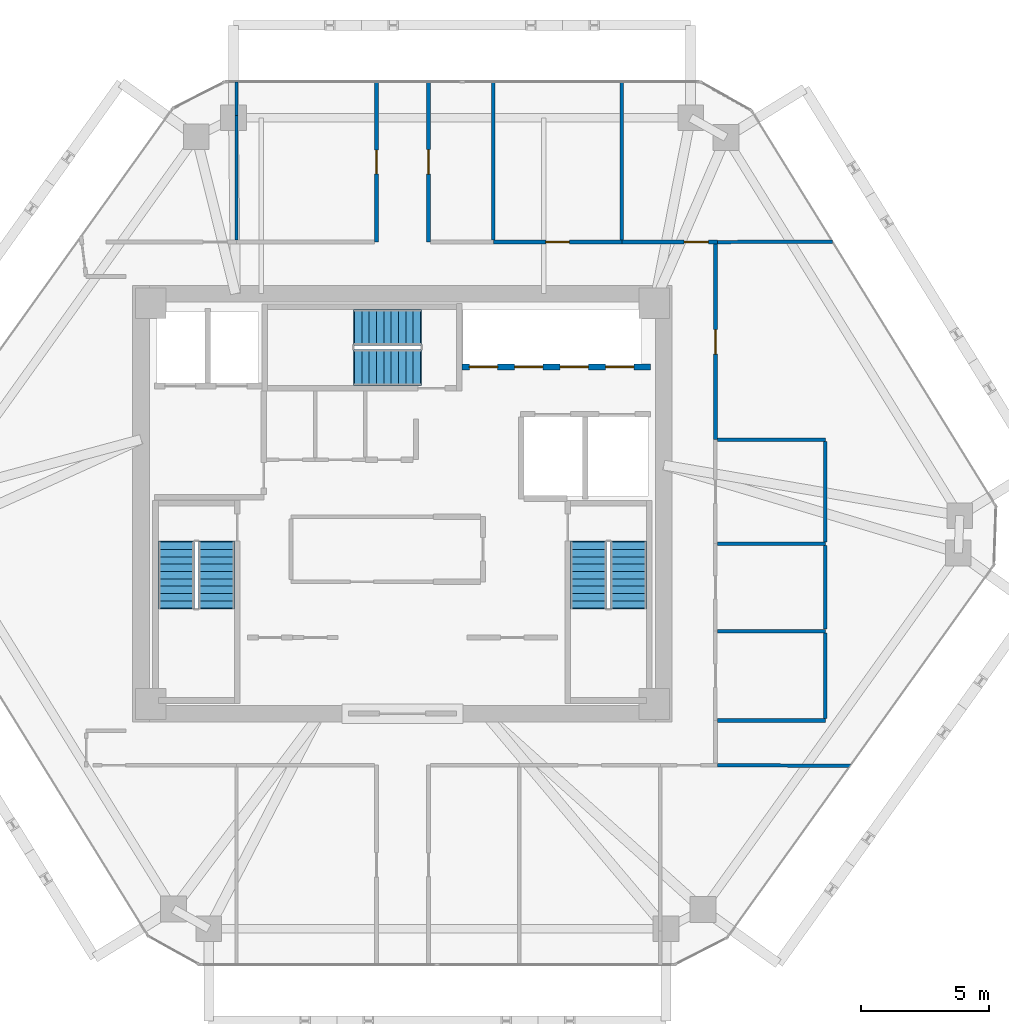
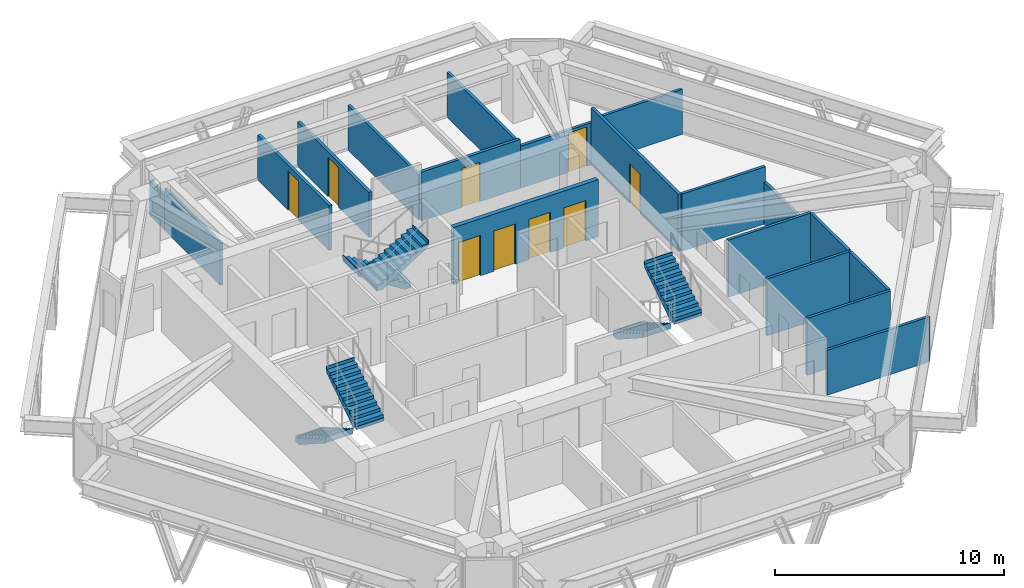
# One storey, part 10 of 11: 19 walls, 9 doors, 6 stair flights, 9 openings, 3 elements without a shape of their own.
"""IFC4 building model written with IfcOpenShell, lengths in metres."""

from ifc_helpers import new_model, si_unit, direction, frame, frame_2d, origin, place, context, subcontext, project, spatial, polyline, rectangle, outline, extrude, source, transform, mapped, material, layer, layer_set, type_object, type_shapes, element, fill, aggregate, save


model = new_model("IFC4")

# Units and contexts
model_context = context("Model", 3, precision=1e-05, world=origin(), true_north=direction((0.0, 1.0)))
body_context = subcontext(model_context, "Body", "Model", "MODEL_VIEW")
ifc_project = project(units=[si_unit("LENGTHUNIT", "METRE"), si_unit("AREAUNIT", "SQUARE_METRE"), si_unit("VOLUMEUNIT", "CUBIC_METRE"), si_unit("PLANEANGLEUNIT", "RADIAN"), si_unit("MASSUNIT", "GRAM", prefix="KILO")], contexts=[model_context])

# Site, building, storey
site_placement = place(None, origin())
site = spatial("IfcSite", under=ifc_project, at=site_placement, CompositionType="ELEMENT")
building_placement = place(site_placement, origin())
building = spatial("IfcBuilding", under=site, at=building_placement, Name="Durnholm Broadcast Tower", CompositionType="ELEMENT")
storey_placement = place(building_placement, frame((0.0, 0.0, 177.10009765625)))
storey = spatial("IfcBuildingStorey", under=building, at=storey_placement, Name="L48", CompositionType="ELEMENT", Elevation=177.10009765625)

# Walls
ifc_material_1 = material(Name="Gypsum Metal Stud Partition", Category="concrete")
ifc_layer_1 = layer(ifc_material_1, 0.135009765625)
ifc_layer_set_1 = layer_set([ifc_layer_1], Name="Gypsum Metal Stud Partition")
wall_type_1 = type_object("IfcWallType", Name="WALL-PART-135", PredefinedType="PARTITIONING", material=ifc_layer_set_1)
wall_1_placement = place(storey_placement, frame((-6.4599609375, 15.10205078125, 0.0), z_axis=(0.0, 0.0, 1.0), x_axis=(0.0, -1.0, 0.0)))
element("IfcWall", 1, at=wall_1_placement, inside=storey, type_object=wall_type_1, Name="L48 room dividing partition 12.13", PredefinedType="PARTITIONING", context=body_context, shape_type="SweptSolid", body=[
    extrude(rectangle(XDim=4.843017578125, YDim=0.135009765625, at=frame_2d((2.42138671875, 0.0))), origin(), (0.0, 0.0, 1.0), 2.24169921875),
])
wall_2_placement = place(storey_placement, frame((-6.4599609375, 16.41796875, 0.0), z_axis=(0.0, 0.0, 1.0), x_axis=(0.0, -1.0, 0.0)))
element("IfcWall", 2, at=wall_2_placement, inside=storey, type_object=wall_type_1, Name="L48 room dividing partition 12.13", PredefinedType="PARTITIONING", context=body_context, shape_type="SweptSolid", body=[
    extrude(rectangle(XDim=1.31591796875, YDim=0.135009765625, at=frame_2d((0.657958984375, 0.0))), origin(), (0.0, 0.0, 1.0), 1.876953125),
])
for number, where, z_axis, x_axis, name in (
    (3, (3.5400390625, 16.41796875, 0.0), (0.0, 0.0, 1.0), (0.0, -1.0, 0.0), "L48 room dividing partition 14.15"),
    (4, (8.5400390625, 16.41796875, 0.0), (0.0, 0.0, 1.0), (0.0, -1.0, 0.0), "L48 room dividing partition 15.16"),
):
    element("IfcWall", number, at=place(storey_placement, frame(where, z_axis=z_axis, x_axis=x_axis)), inside=storey, type_object=wall_type_1, Name=name, PredefinedType="PARTITIONING", context=body_context, shape_type="SweptSolid", body=[
        extrude(rectangle(XDim=6.158935546875, YDim=0.135009765625, at=frame_2d((3.07958984375, 0.0))), origin(), (0.0, 0.0, 1.0), 2.398681640625),
    ])
wall_3_placement = place(storey_placement, frame((16.739990234375, 10.200927734375, 0.0), z_axis=(0.0, 0.0, 1.0), x_axis=(-0.999989522694, -0.004577608714, 0.0)))
element("IfcWall", 5, at=wall_3_placement, inside=storey, type_object=wall_type_1, Name="L48 room dividing partition 16.24", PredefinedType="PARTITIONING", context=body_context, shape_type="SweptSolid", body=[
    extrude(rectangle(XDim=4.47998046875, YDim=0.135009765625, at=frame_2d((2.239990234375, 0.0))), origin(), (0.0, 0.0, 1.0), 2.398681640625),
])
wall_4_placement = place(storey_placement, frame((12.260009765625, -10.180419921875, 0.0), z_axis=(0.0, 0.0, 1.0), x_axis=(0.999990144117, -0.004439782427, 0.0)))
element("IfcWall", 6, at=wall_4_placement, inside=storey, type_object=wall_type_1, Name="L48 room dividing partition 21.24", PredefinedType="PARTITIONING", context=body_context, shape_type="SweptSolid", body=[
    extrude(rectangle(XDim=5.1689453125, YDim=0.135009765625, at=frame_2d((2.58447265625, 0.0))), origin(), (0.0, 0.0, 1.0), 2.398681640625),
])

# Wall, opening, door
ifc_material_2 = material(Name="Acoustic Gypsum Stud Partition", Category="concrete")
ifc_layer_2 = layer(ifc_material_2, 0.14990234375)
ifc_layer_set_2 = layer_set([ifc_layer_2], Name="Acoustic Gypsum Stud Partition")
wall_type_2 = type_object("IfcWallType", Name="WALL-PART-150", PredefinedType="PARTITIONING", material=ifc_layer_set_2)
wall_5_placement = place(storey_placement, frame((-1.010009765625, 16.41796875, 0.0), z_axis=(0.0, 0.0, 1.0), x_axis=(0.0, -1.0, 0.0)))
wall_5 = element("IfcWall", 7, at=wall_5_placement, inside=storey, type_object=wall_type_2, Name="L48 Rough-Cut Office 1 corridor partition", PredefinedType="PARTITIONING", context=body_context, shape_type="SweptSolid", body=[
    extrude(rectangle(XDim=6.238037109375, YDim=0.14990234375, at=frame_2d((3.119140625, 0.0))), origin(), (0.0, 0.0, 1.0), 2.398681640625),
])
opening_1_placement = place(wall_5_placement, frame((2.658935546875, 0.0, 0.0)))
opening_1 = element("IfcOpeningElement", 8, at=opening_1_placement, cuts=wall_5, Name="Opening DR-92L", PredefinedType="OPENING", context=body_context, shape_type="SweptSolid", body=[
    extrude(rectangle(XDim=0.919921875, YDim=2.10009765625, at=frame_2d((0.4599609375, 1.050048828125))), frame((0.0, 0.0849609375, 0.0), z_axis=(0.0, -1.0, 0.0), x_axis=(1.0, 0.0, 0.0)), (0.0, 0.0, 1.0), 0.169921875),
])
ifc_material_3 = material(Name="Oak Veneer Office Door", Category="wood")
ifc_layer_3 = layer(ifc_material_3, 0.050048828125)
ifc_layer_set_3 = layer_set([ifc_layer_3], Name="Oak Veneer Office Door")
door_type_1 = type_object("IfcDoorType", Name="DOOR-RM-920L", OperationType="NOTDEFINED", PredefinedType="DOOR", material=ifc_layer_set_3)
shared_shape_1 = source(origin(), body_context, "Body", "SweptSolid", [
    extrude(rectangle(XDim=0.919921875, YDim=2.10009765625, at=frame_2d((0.4599609375, 1.050048828125))), frame((0.0, 0.02490234375, 0.0), z_axis=(0.0, -1.0, 0.0), x_axis=(1.0, 0.0, 0.0)), (0.0, 0.0, 1.0), 0.050048828125),
])
type_shapes(door_type_1, [shared_shape_1])
door_1_placement = place(opening_1_placement, origin())
door_1 = element("IfcDoor", 9, at=door_1_placement, inside=storey, type_object=door_type_1, Name="L48 Rough-Cut Office 1 entrance door", OperationType="SINGLE_SWING_LEFT", OverallHeight=2.10009765625, OverallWidth=0.919921875, PredefinedType="DOOR", context=body_context, shape_type="MappedRepresentation", body=[
    mapped(shared_shape_1, transform((0.0, 0.0, 0.0), x_axis=(1.0, 0.0, 0.0), y_axis=(0.0, 1.0, 0.0), z_axis=(0.0, 0.0, 1.0), scale=1.0)),
])
fill(opening_1, door_1)

wall_6_placement = place(storey_placement, frame((1.010009765625, 10.179931640625, 0.0), z_axis=(0.0, 0.0, 1.0), x_axis=(0.0, 1.0, 0.0)))
wall_6 = element("IfcWall", 10, at=wall_6_placement, inside=storey, type_object=wall_type_2, Name="L48 Rough-Cut Office 2 corridor partition", PredefinedType="PARTITIONING", context=body_context, shape_type="SweptSolid", body=[
    extrude(rectangle(XDim=6.238037109375, YDim=0.14990234375, at=frame_2d((3.119140625, 0.0))), origin(), (0.0, 0.0, 1.0), 2.398681640625),
])
opening_2_placement = place(wall_6_placement, frame((2.64404296875, 0.0, 0.0)))
opening_2 = element("IfcOpeningElement", 11, at=opening_2_placement, cuts=wall_6, Name="Opening DR-95R", PredefinedType="OPENING", context=body_context, shape_type="SweptSolid", body=[
    extrude(rectangle(XDim=0.949951171875, YDim=2.10009765625, at=frame_2d((0.47509765625, 1.050048828125))), frame((0.0, 0.0849609375, 0.0), z_axis=(0.0, -1.0, 0.0), x_axis=(1.0, 0.0, 0.0)), (0.0, 0.0, 1.0), 0.169921875),
])
ifc_material_4 = material(Name="Acoustic Oak Veneer Timber Door", Category="wood")
ifc_layer_4 = layer(ifc_material_4, 0.050048828125)
ifc_layer_set_4 = layer_set([ifc_layer_4], Name="Acoustic Oak Veneer Timber Door")
door_type_2 = type_object("IfcDoorType", Name="DOOR-RM-950R", OperationType="NOTDEFINED", PredefinedType="DOOR", material=ifc_layer_set_4)
shared_shape_2 = source(origin(), body_context, "Body", "SweptSolid", [
    extrude(rectangle(XDim=0.949951171875, YDim=2.10009765625, at=frame_2d((0.47509765625, 1.050048828125))), frame((0.0, 0.02490234375, 0.0), z_axis=(0.0, -1.0, 0.0), x_axis=(1.0, 0.0, 0.0)), (0.0, 0.0, 1.0), 0.050048828125),
])
type_shapes(door_type_2, [shared_shape_2])
door_2_placement = place(opening_2_placement, origin())
door_2 = element("IfcDoor", 12, at=door_2_placement, inside=storey, type_object=door_type_2, Name="L48 Rough-Cut Office 2 entrance door", OperationType="SINGLE_SWING_RIGHT", OverallHeight=2.10009765625, OverallWidth=0.949951171875, PredefinedType="DOOR", context=body_context, shape_type="MappedRepresentation", body=[
    mapped(shared_shape_2, transform((0.0, 0.0, 0.0), x_axis=(1.0, 0.0, 0.0), y_axis=(0.0, 1.0, 0.0), z_axis=(0.0, 0.0, 1.0), scale=1.0)),
])
fill(opening_2, door_2)

wall_7_placement = place(storey_placement, frame((8.5400390625, 10.179931640625, 0.0), z_axis=(0.0, 0.0, 1.0), x_axis=(-1.0, 0.0, 0.0)))
wall_7 = element("IfcWall", 13, at=wall_7_placement, inside=storey, type_object=wall_type_2, Name="L48 Archival Office corridor partition", PredefinedType="PARTITIONING", context=body_context, shape_type="SweptSolid", body=[
    extrude(rectangle(XDim=5.0, YDim=0.14990234375, at=frame_2d((2.5, 0.0))), origin(), (0.0, 0.0, 1.0), 2.608154296875),
])
opening_3_placement = place(wall_7_placement, frame((2.0400390625, 0.0, 0.0)))
opening_3 = element("IfcOpeningElement", 14, at=opening_3_placement, cuts=wall_7, Name="Opening DR-92L", PredefinedType="OPENING", context=body_context, shape_type="SweptSolid", body=[
    extrude(rectangle(XDim=0.919921875, YDim=2.10009765625, at=frame_2d((0.4599609375, 1.050048828125))), frame((0.0, 0.0849609375, 0.0), z_axis=(0.0, -1.0, 0.0), x_axis=(1.0, 0.0, 0.0)), (0.0, 0.0, 1.0), 0.169921875),
])
door_3_placement = place(opening_3_placement, origin())
door_3 = element("IfcDoor", 15, at=door_3_placement, inside=storey, type_object=door_type_1, Name="L48 Archival Office entrance door", OperationType="SINGLE_SWING_LEFT", OverallHeight=2.10009765625, OverallWidth=0.919921875, PredefinedType="DOOR", context=body_context, shape_type="MappedRepresentation", body=[
    mapped(shared_shape_1, transform((0.0, 0.0, 0.0), x_axis=(1.0, 0.0, 0.0), y_axis=(0.0, 1.0, 0.0), z_axis=(0.0, 0.0, 1.0), scale=1.0)),
])
fill(opening_3, door_3)

wall_8_placement = place(storey_placement, frame((12.260009765625, 10.179931640625, 0.0), z_axis=(0.0, 0.0, 1.0), x_axis=(-1.0, 0.0, 0.0)))
wall_8 = element("IfcWall", 16, at=wall_8_placement, inside=storey, type_object=wall_type_2, Name="L48 Open Plan Broadcast Workspace 6 corridor partition", PredefinedType="PARTITIONING", context=body_context, shape_type="SweptSolid", body=[
    extrude(rectangle(XDim=3.719970703125, YDim=0.14990234375, at=frame_2d((1.85986328125, 0.0))), origin(), (0.0, 0.0, 1.0), 2.24169921875),
])
opening_4_placement = place(wall_8_placement, frame((0.35009765625, 0.0, 0.0)))
opening_4 = element("IfcOpeningElement", 17, at=opening_4_placement, cuts=wall_8, Name="Opening DR-95R", PredefinedType="OPENING", context=body_context, shape_type="SweptSolid", body=[
    extrude(rectangle(XDim=0.949951171875, YDim=2.10009765625, at=frame_2d((0.47509765625, 1.050048828125))), frame((0.0, 0.0849609375, 0.0), z_axis=(0.0, -1.0, 0.0), x_axis=(1.0, 0.0, 0.0)), (0.0, 0.0, 1.0), 0.169921875),
])
door_4_placement = place(opening_4_placement, origin())
door_4 = element("IfcDoor", 18, at=door_4_placement, inside=storey, type_object=door_type_2, Name="L48 Open Plan Broadcast Workspace 6 entrance door", OperationType="SINGLE_SWING_RIGHT", OverallHeight=2.10009765625, OverallWidth=0.949951171875, PredefinedType="DOOR", context=body_context, shape_type="MappedRepresentation", body=[
    mapped(shared_shape_2, transform((0.0, 0.0, 0.0), x_axis=(1.0, 0.0, 0.0), y_axis=(0.0, 1.0, 0.0), z_axis=(0.0, 0.0, 1.0), scale=1.0)),
])
fill(opening_4, door_4)

wall_9_placement = place(storey_placement, frame((12.179931640625, 2.489990234375, 0.0), z_axis=(0.0, 0.0, 1.0), x_axis=(0.0, 1.0, 0.0)))
wall_9 = element("IfcWall", 19, at=wall_9_placement, inside=storey, type_object=wall_type_2, Name="L48 Archival Office corridor partition", PredefinedType="PARTITIONING", context=body_context, shape_type="SweptSolid", body=[
    extrude(rectangle(XDim=7.611083984375, YDim=0.14990234375, at=frame_2d((3.8056640625, 0.0))), origin(), (0.0, 0.0, 1.0), 3.044921875),
])
opening_5_placement = place(wall_9_placement, frame((3.33056640625, 0.0, 0.0)))
opening_5 = element("IfcOpeningElement", 20, at=opening_5_placement, cuts=wall_9, Name="Opening DR-95L", PredefinedType="OPENING", context=body_context, shape_type="SweptSolid", body=[
    extrude(rectangle(XDim=0.949951171875, YDim=2.10009765625, at=frame_2d((0.47509765625, 1.050048828125))), frame((0.0, 0.0849609375, 0.0), z_axis=(0.0, -1.0, 0.0), x_axis=(1.0, 0.0, 0.0)), (0.0, 0.0, 1.0), 0.169921875),
])
ifc_layer_5 = layer(ifc_material_4, 0.050048828125)
ifc_layer_set_5 = layer_set([ifc_layer_5], Name="Acoustic Oak Veneer Timber Door")
door_type_3 = type_object("IfcDoorType", Name="DOOR-RM-950L", OperationType="NOTDEFINED", PredefinedType="DOOR", material=ifc_layer_set_5)
shared_shape_3 = source(origin(), body_context, "Body", "SweptSolid", [
    extrude(rectangle(XDim=0.949951171875, YDim=2.10009765625, at=frame_2d((0.47509765625, 1.050048828125))), frame((0.0, 0.02490234375, 0.0), z_axis=(0.0, -1.0, 0.0), x_axis=(1.0, 0.0, 0.0)), (0.0, 0.0, 1.0), 0.050048828125),
])
type_shapes(door_type_3, [shared_shape_3])
door_5_placement = place(opening_5_placement, origin())
door_5 = element("IfcDoor", 21, at=door_5_placement, inside=storey, type_object=door_type_3, Name="L48 Archival Office entrance door", OperationType="SINGLE_SWING_LEFT", OverallHeight=2.10009765625, OverallWidth=0.949951171875, PredefinedType="DOOR", context=body_context, shape_type="MappedRepresentation", body=[
    mapped(shared_shape_3, transform((0.0, 0.0, 0.0), x_axis=(1.0, 0.0, 0.0), y_axis=(0.0, 1.0, 0.0), z_axis=(0.0, 0.0, 1.0), scale=1.0)),
])
fill(opening_5, door_5)

# Wall, openings, doors
ifc_material_5 = material(Name="Concrete Blockwork C30/37", Category="masonry")
ifc_layer_6 = layer(ifc_material_5, 0.219970703125)
ifc_layer_set_6 = layer_set([ifc_layer_6], Name="Concrete Blockwork C30/37")
wall_type_3 = type_object("IfcWallType", Name="WALL-SHAFT-220", PredefinedType="SOLIDWALL", material=ifc_layer_set_6)
wall_10_placement = place(storey_placement, frame((2.324951171875, 5.320068359375, 0.0), z_axis=(0.0, 0.0, 1.0), x_axis=(1.0, 0.0, 0.0)))
wall_10 = element("IfcWall", 22, at=wall_10_placement, inside=storey, type_object=wall_type_3, Name="L48 high-rise bank P3 south front wall", PredefinedType="SOLIDWALL", context=body_context, shape_type="SweptSolid", body=[
    extrude(rectangle(XDim=7.324951171875, YDim=0.219970703125, at=frame_2d((3.66259765625, 0.0))), origin(), (0.0, 0.0, 1.0), 3.044921875),
])
opening_6_placement = place(wall_10_placement, frame((0.27490234375, 0.0, 0.0)))
opening_6 = element("IfcOpeningElement", 23, at=opening_6_placement, cuts=wall_10, Name="Opening LD-LP3-1", PredefinedType="OPENING", context=body_context, shape_type="SweptSolid", body=[
    extrude(rectangle(XDim=1.10009765625, YDim=2.14990234375, at=frame_2d((0.550048828125, 1.074951171875))), frame((0.0, 0.1201171875, 0.0), z_axis=(0.0, -1.0, 0.0), x_axis=(1.0, 0.0, 0.0)), (0.0, 0.0, 1.0), 0.239990234375),
])
opening_7_placement = place(wall_10_placement, frame((2.044921875, 0.0, 0.0)))
opening_7 = element("IfcOpeningElement", 24, at=opening_7_placement, cuts=wall_10, Name="Opening LD-LP3-2", PredefinedType="OPENING", context=body_context, shape_type="SweptSolid", body=[
    extrude(rectangle(XDim=1.10009765625, YDim=2.14990234375, at=frame_2d((0.550048828125, 1.074951171875))), frame((0.0, 0.1201171875, 0.0), z_axis=(0.0, -1.0, 0.0), x_axis=(1.0, 0.0, 0.0)), (0.0, 0.0, 1.0), 0.239990234375),
])
opening_8_placement = place(wall_10_placement, frame((3.81494140625, 0.0, 0.0)))
opening_8 = element("IfcOpeningElement", 25, at=opening_8_placement, cuts=wall_10, Name="Opening LD-LP3-3", PredefinedType="OPENING", context=body_context, shape_type="SweptSolid", body=[
    extrude(rectangle(XDim=1.10009765625, YDim=2.14990234375, at=frame_2d((0.550048828125, 1.074951171875))), frame((0.0, 0.1201171875, 0.0), z_axis=(0.0, -1.0, 0.0), x_axis=(1.0, 0.0, 0.0)), (0.0, 0.0, 1.0), 0.239990234375),
])
opening_9_placement = place(wall_10_placement, frame((5.5849609375, 0.0, 0.0)))
opening_9 = element("IfcOpeningElement", 26, at=opening_9_placement, cuts=wall_10, Name="Opening LD-LP3-4", PredefinedType="OPENING", context=body_context, shape_type="SweptSolid", body=[
    extrude(rectangle(XDim=1.10009765625, YDim=2.14990234375, at=frame_2d((0.550048828125, 1.074951171875))), frame((0.0, 0.1201171875, 0.0), z_axis=(0.0, -1.0, 0.0), x_axis=(1.0, 0.0, 0.0)), (0.0, 0.0, 1.0), 0.239990234375),
])
ifc_material_6 = material(Name="Stainless Steel Sliding Elevator Landing Door", Category="steel")
ifc_layer_7 = layer(ifc_material_6, 0.050048828125)
ifc_layer_set_7 = layer_set([ifc_layer_7], Name="Stainless Steel Sliding Elevator Landing Door")
door_type_4 = type_object("IfcDoorType", Name="DOOR-LIFT-PAX", OperationType="DOUBLE_DOOR_SLIDING", PredefinedType="DOOR", material=ifc_layer_set_7)
shared_shape_4 = source(origin(), body_context, "Body", "SweptSolid", [
    extrude(rectangle(XDim=1.10009765625, YDim=2.14990234375, at=frame_2d((0.550048828125, 1.074951171875))), frame((0.0, 0.02490234375, 0.0), z_axis=(0.0, -1.0, 0.0), x_axis=(1.0, 0.0, 0.0)), (0.0, 0.0, 1.0), 0.050048828125),
])
type_shapes(door_type_4, [shared_shape_4])
door_6_placement = place(opening_6_placement, origin())
door_6 = element("IfcDoor", 27, at=door_6_placement, inside=storey, type_object=door_type_4, Name="L48 high-rise elevator LP3-1 sliding landing door", OperationType="DOUBLE_DOOR_SLIDING", OverallHeight=2.14990234375, OverallWidth=1.10009765625, PredefinedType="DOOR", context=body_context, shape_type="MappedRepresentation", body=[
    mapped(shared_shape_4, transform((0.0, 0.0, 0.0), x_axis=(1.0, 0.0, 0.0), y_axis=(0.0, 1.0, 0.0), z_axis=(0.0, 0.0, 1.0), scale=1.0)),
])
fill(opening_6, door_6)
door_7_placement = place(opening_7_placement, origin())
door_7 = element("IfcDoor", 28, at=door_7_placement, inside=storey, type_object=door_type_4, Name="L48 high-rise elevator LP3-2 sliding landing door", OperationType="DOUBLE_DOOR_SLIDING", OverallHeight=2.14990234375, OverallWidth=1.10009765625, PredefinedType="DOOR", context=body_context, shape_type="MappedRepresentation", body=[
    mapped(shared_shape_4, transform((0.0, 0.0, 0.0), x_axis=(1.0, 0.0, 0.0), y_axis=(0.0, 1.0, 0.0), z_axis=(0.0, 0.0, 1.0), scale=1.0)),
])
fill(opening_7, door_7)
door_8_placement = place(opening_8_placement, origin())
door_8 = element("IfcDoor", 29, at=door_8_placement, inside=storey, type_object=door_type_4, Name="L48 high-rise elevator LP3-3 sliding landing door", OperationType="DOUBLE_DOOR_SLIDING", OverallHeight=2.14990234375, OverallWidth=1.10009765625, PredefinedType="DOOR", context=body_context, shape_type="MappedRepresentation", body=[
    mapped(shared_shape_4, transform((0.0, 0.0, 0.0), x_axis=(1.0, 0.0, 0.0), y_axis=(0.0, 1.0, 0.0), z_axis=(0.0, 0.0, 1.0), scale=1.0)),
])
fill(opening_8, door_8)
door_9_placement = place(opening_9_placement, origin())
door_9 = element("IfcDoor", 30, at=door_9_placement, inside=storey, type_object=door_type_4, Name="L48 high-rise elevator LP3-4 sliding landing door", OperationType="DOUBLE_DOOR_SLIDING", OverallHeight=2.14990234375, OverallWidth=1.10009765625, PredefinedType="DOOR", context=body_context, shape_type="MappedRepresentation", body=[
    mapped(shared_shape_4, transform((0.0, 0.0, 0.0), x_axis=(1.0, 0.0, 0.0), y_axis=(0.0, 1.0, 0.0), z_axis=(0.0, 0.0, 1.0), scale=1.0)),
])
fill(opening_9, door_9)

# Walls
ifc_material_7 = material(Name="Moisture-Resistant Tile Partition", Category="concrete")
ifc_layer_8 = layer(ifc_material_7, 0.139892578125)
ifc_layer_set_8 = layer_set([ifc_layer_8], Name="Moisture-Resistant Tile Partition")
wall_type_4 = type_object("IfcWallType", Name="WALL-WC-140", PredefinedType="PARTITIONING", material=ifc_layer_set_8)
wall_11_placement = place(storey_placement, frame((12.25390625, -4.9599609375, 0.0), z_axis=(0.0, 0.0, 1.0), x_axis=(1.0, 0.0, 0.0)))
element("IfcWall", 31, at=wall_11_placement, inside=storey, type_object=wall_type_4, Name="L48 room dividing partition 9.10", PredefinedType="PARTITIONING", context=body_context, shape_type="SweptSolid", body=[
    extrude(rectangle(XDim=4.2060546875, YDim=0.139892578125, at=frame_2d((2.10302734375, 0.0))), origin(), (0.0, 0.0, 1.0), 3.044921875),
])
wall_12_placement = place(storey_placement, frame((16.4599609375, -8.43994140625, 0.0), z_axis=(0.0, 0.0, 1.0), x_axis=(-1.0, 0.0, 0.0)))
element("IfcWall", 32, at=wall_12_placement, inside=storey, type_object=wall_type_4, Name="L48 room dividing partition 9.24", PredefinedType="PARTITIONING", context=body_context, shape_type="SweptSolid", body=[
    extrude(rectangle(XDim=4.200927734375, YDim=0.139892578125, at=frame_2d((2.1005859375, 0.0))), origin(), (0.0, 0.0, 1.0), 3.044921875),
])
wall_13_placement = place(storey_placement, frame((16.4599609375, -5.033935546875, 0.0), z_axis=(0.0, 0.0, 1.0), x_axis=(0.0, -1.0, 0.0)))
element("IfcWall", 33, at=wall_13_placement, inside=storey, type_object=wall_type_4, Name="L48 room dividing partition 9.24", PredefinedType="PARTITIONING", context=body_context, shape_type="SweptSolid", body=[
    extrude(rectangle(XDim=3.33203125, YDim=0.139892578125, at=frame_2d((1.666015625, 0.0))), origin(), (0.0, 0.0, 1.0), 3.044921875),
])
wall_14_placement = place(storey_placement, frame((12.25390625, -1.56005859375, 0.0), z_axis=(0.0, 0.0, 1.0), x_axis=(1.0, 0.0, 0.0)))
element("IfcWall", 34, at=wall_14_placement, inside=storey, type_object=wall_type_4, Name="L48 room dividing partition 10.11", PredefinedType="PARTITIONING", context=body_context, shape_type="SweptSolid", body=[
    extrude(rectangle(XDim=4.2060546875, YDim=0.139892578125, at=frame_2d((2.10302734375, 0.0))), origin(), (0.0, 0.0, 1.0), 3.044921875),
])
wall_15_placement = place(storey_placement, frame((16.4599609375, -1.634033203125, 0.0), z_axis=(0.0, 0.0, 1.0), x_axis=(0.0, -1.0, 0.0)))
element("IfcWall", 35, at=wall_15_placement, inside=storey, type_object=wall_type_4, Name="L48 room dividing partition 10.24", PredefinedType="PARTITIONING", context=body_context, shape_type="SweptSolid", body=[
    extrude(rectangle(XDim=3.251953125, YDim=0.139892578125, at=frame_2d((1.6259765625, 0.0))), origin(), (0.0, 0.0, 1.0), 3.044921875),
])
wall_16_placement = place(storey_placement, frame((12.259033203125, 2.489990234375, 0.0), z_axis=(0.0, 0.0, 1.0), x_axis=(1.0, 0.0, 0.0)))
element("IfcWall", 36, at=wall_16_placement, inside=storey, type_object=wall_type_4, Name="L48 room dividing partition 11.24", PredefinedType="PARTITIONING", context=body_context, shape_type="SweptSolid", body=[
    extrude(rectangle(XDim=4.200927734375, YDim=0.139892578125, at=frame_2d((2.1005859375, 0.0))), origin(), (0.0, 0.0, 1.0), 3.044921875),
])
wall_17_placement = place(storey_placement, frame((16.4599609375, 2.416015625, 0.0), z_axis=(0.0, 0.0, 1.0), x_axis=(0.0, -1.0, 0.0)))
element("IfcWall", 37, at=wall_17_placement, inside=storey, type_object=wall_type_4, Name="L48 room dividing partition 11.24", PredefinedType="PARTITIONING", context=body_context, shape_type="SweptSolid", body=[
    extrude(rectangle(XDim=3.902099609375, YDim=0.139892578125, at=frame_2d((1.951171875, 0.0))), origin(), (0.0, 0.0, 1.0), 2.24169921875),
])

# Stair, stair flights
ifc_material_8 = material(Name="Concrete C50/60", Category="concrete")
stair_type = type_object("IfcStairType", Name="STAIR-DL-20R1650", PredefinedType="HALF_TURN_STAIR", material=ifc_material_8)
stair_1_placement = place(storey_placement, origin())
stair_1 = element("IfcStair", 38, at=stair_1_placement, inside=storey, type_object=stair_type, Name="L48 ST-1", PredefinedType="HALF_TURN_STAIR")
stair_flight_type = type_object("IfcStairFlightType", Name="FLIGHT-DL-20R1650", PredefinedType="STRAIGHT", material=ifc_material_8)
stair_flight_1_placement = place(storey_placement, frame((-8.800048828125, -1.5, 0.0), z_axis=(0.0, 0.0, 1.0), x_axis=(0.0, -1.0, 0.0)))
stair_flight_1 = element("IfcStairFlight", 39, at=stair_flight_1_placement, type_object=stair_flight_type, Name="ST-1 flight 1", NumberOfRisers=10, NumberOfTreads=9, PredefinedType="STRAIGHT", RiserHeight=0.165, TreadLength=0.285, context=body_context, shape_type="SweptSolid", body=[
    extrude(outline(polyline([(-0.0400390625, -0.14990234375), (-0.0400390625, 0.0), (0.0, 0.0), (0.0, 0.1650390625), (0.284912109375, 0.1650390625), (0.284912109375, 0.330078125), (0.570068359375, 0.330078125), (0.570068359375, 0.4951171875), (0.85498046875, 0.4951171875), (0.85498046875, 0.659912109375), (1.139892578125, 0.659912109375), (1.139892578125, 0.824951171875), (1.425048828125, 0.824951171875), (1.425048828125, 0.989990234375), (1.7099609375, 0.989990234375), (1.7099609375, 1.155029296875), (1.9951171875, 1.155029296875), (1.9951171875, 1.320068359375), (2.280029296875, 1.320068359375), (2.280029296875, 1.485107421875), (2.56494140625, 1.485107421875), (2.56494140625, 1.64990234375), (2.60498046875, 1.64990234375), (2.60498046875, 1.5), (2.56494140625, 1.311767578125), (0.299072265625, -0.14990234375), (-0.0400390625, -0.14990234375)])), frame((0.0, 0.699951171875, 0.0), z_axis=(0.0, -1.0, 0.0), x_axis=(1.0, 0.0, 0.0)), (0.0, 0.0, 1.0), 1.39990234375),
])
stair_flight_2_placement = place(storey_placement, frame((-7.239990234375, -4.06494140625, 1.64990234375), z_axis=(0.0, 0.0, 1.0), x_axis=(0.0, 1.0, 0.0)))
stair_flight_2 = element("IfcStairFlight", 40, at=stair_flight_2_placement, type_object=stair_flight_type, Name="ST-1 flight 2", NumberOfRisers=10, NumberOfTreads=9, PredefinedType="STRAIGHT", RiserHeight=0.165, TreadLength=0.285, context=body_context, shape_type="SweptSolid", body=[
    extrude(outline(polyline([(-0.0400390625, -0.14990234375), (-0.0400390625, 0.0), (0.0, 0.0), (0.0, 0.1650390625), (0.284912109375, 0.1650390625), (0.284912109375, 0.330078125), (0.570068359375, 0.330078125), (0.570068359375, 0.4951171875), (0.85498046875, 0.4951171875), (0.85498046875, 0.659912109375), (1.139892578125, 0.659912109375), (1.139892578125, 0.824951171875), (1.425048828125, 0.824951171875), (1.425048828125, 0.989990234375), (1.7099609375, 0.989990234375), (1.7099609375, 1.155029296875), (1.9951171875, 1.155029296875), (1.9951171875, 1.320068359375), (2.280029296875, 1.320068359375), (2.280029296875, 1.485107421875), (2.56494140625, 1.485107421875), (2.56494140625, 1.64990234375), (2.60498046875, 1.64990234375), (2.60498046875, 1.5), (2.56494140625, 1.311767578125), (0.299072265625, -0.14990234375), (-0.0400390625, -0.14990234375)])), frame((0.0, 0.699951171875, 0.0), z_axis=(0.0, -1.0, 0.0), x_axis=(1.0, 0.0, 0.0)), (0.0, 0.0, 1.0), 1.39990234375),
])
aggregate(stair_1, [stair_flight_1, stair_flight_2])

stair_2_placement = place(storey_placement, origin())
stair_2 = element("IfcStair", 41, at=stair_2_placement, inside=storey, type_object=stair_type, Name="L48 ST-2", PredefinedType="HALF_TURN_STAIR")
stair_flight_3_placement = place(storey_placement, frame((7.239990234375, -1.5, 0.0), z_axis=(0.0, 0.0, 1.0), x_axis=(0.0, -1.0, 0.0)))
stair_flight_3 = element("IfcStairFlight", 42, at=stair_flight_3_placement, type_object=stair_flight_type, Name="ST-2 flight 1", NumberOfRisers=10, NumberOfTreads=9, PredefinedType="STRAIGHT", RiserHeight=0.165, TreadLength=0.285, context=body_context, shape_type="SweptSolid", body=[
    extrude(outline(polyline([(-0.0400390625, -0.14990234375), (-0.0400390625, 0.0), (0.0, 0.0), (0.0, 0.1650390625), (0.284912109375, 0.1650390625), (0.284912109375, 0.330078125), (0.570068359375, 0.330078125), (0.570068359375, 0.4951171875), (0.85498046875, 0.4951171875), (0.85498046875, 0.659912109375), (1.139892578125, 0.659912109375), (1.139892578125, 0.824951171875), (1.425048828125, 0.824951171875), (1.425048828125, 0.989990234375), (1.7099609375, 0.989990234375), (1.7099609375, 1.155029296875), (1.9951171875, 1.155029296875), (1.9951171875, 1.320068359375), (2.280029296875, 1.320068359375), (2.280029296875, 1.485107421875), (2.56494140625, 1.485107421875), (2.56494140625, 1.64990234375), (2.60498046875, 1.64990234375), (2.60498046875, 1.5), (2.56494140625, 1.311767578125), (0.299072265625, -0.14990234375), (-0.0400390625, -0.14990234375)])), frame((0.0, 0.699951171875, 0.0), z_axis=(0.0, -1.0, 0.0), x_axis=(1.0, 0.0, 0.0)), (0.0, 0.0, 1.0), 1.39990234375),
])
stair_flight_4_placement = place(storey_placement, frame((8.800048828125, -4.06494140625, 1.64990234375), z_axis=(0.0, 0.0, 1.0), x_axis=(0.0, 1.0, 0.0)))
stair_flight_4 = element("IfcStairFlight", 43, at=stair_flight_4_placement, type_object=stair_flight_type, Name="ST-2 flight 2", NumberOfRisers=10, NumberOfTreads=9, PredefinedType="STRAIGHT", RiserHeight=0.165, TreadLength=0.285, context=body_context, shape_type="SweptSolid", body=[
    extrude(outline(polyline([(-0.0400390625, -0.14990234375), (-0.0400390625, 0.0), (0.0, 0.0), (0.0, 0.1650390625), (0.284912109375, 0.1650390625), (0.284912109375, 0.330078125), (0.570068359375, 0.330078125), (0.570068359375, 0.4951171875), (0.85498046875, 0.4951171875), (0.85498046875, 0.659912109375), (1.139892578125, 0.659912109375), (1.139892578125, 0.824951171875), (1.425048828125, 0.824951171875), (1.425048828125, 0.989990234375), (1.7099609375, 0.989990234375), (1.7099609375, 1.155029296875), (1.9951171875, 1.155029296875), (1.9951171875, 1.320068359375), (2.280029296875, 1.320068359375), (2.280029296875, 1.485107421875), (2.56494140625, 1.485107421875), (2.56494140625, 1.64990234375), (2.60498046875, 1.64990234375), (2.60498046875, 1.5), (2.56494140625, 1.311767578125), (0.299072265625, -0.14990234375), (-0.0400390625, -0.14990234375)])), frame((0.0, 0.699951171875, 0.0), z_axis=(0.0, -1.0, 0.0), x_axis=(1.0, 0.0, 0.0)), (0.0, 0.0, 1.0), 1.39990234375),
])
aggregate(stair_2, [stair_flight_3, stair_flight_4])

stair_3_placement = place(storey_placement, origin())
stair_3 = element("IfcStair", 44, at=stair_3_placement, inside=storey, type_object=stair_type, Name="L48 ST-3", PredefinedType="HALF_TURN_STAIR")
stair_flight_5_placement = place(storey_placement, frame((0.699951171875, 6.860107421875, 0.0), z_axis=(0.0, 0.0, 1.0), x_axis=(-1.0, 0.0, 0.0)))
stair_flight_5 = element("IfcStairFlight", 45, at=stair_flight_5_placement, type_object=stair_flight_type, Name="ST-3 flight 1", NumberOfRisers=10, NumberOfTreads=9, PredefinedType="STRAIGHT", RiserHeight=0.165, TreadLength=0.285, context=body_context, shape_type="SweptSolid", body=[
    extrude(outline(polyline([(-0.0400390625, -0.14990234375), (-0.0400390625, 0.0), (0.0, 0.0), (0.0, 0.1650390625), (0.284912109375, 0.1650390625), (0.284912109375, 0.330078125), (0.570068359375, 0.330078125), (0.570068359375, 0.4951171875), (0.85498046875, 0.4951171875), (0.85498046875, 0.659912109375), (1.139892578125, 0.659912109375), (1.139892578125, 0.824951171875), (1.425048828125, 0.824951171875), (1.425048828125, 0.989990234375), (1.7099609375, 0.989990234375), (1.7099609375, 1.155029296875), (1.9951171875, 1.155029296875), (1.9951171875, 1.320068359375), (2.280029296875, 1.320068359375), (2.280029296875, 1.485107421875), (2.56494140625, 1.485107421875), (2.56494140625, 1.64990234375), (2.60498046875, 1.64990234375), (2.60498046875, 1.5), (2.56494140625, 1.311767578125), (0.299072265625, -0.14990234375), (-0.0400390625, -0.14990234375)])), frame((0.0, 0.699951171875, 0.0), z_axis=(0.0, -1.0, 0.0), x_axis=(1.0, 0.0, 0.0)), (0.0, 0.0, 1.0), 1.39990234375),
])
stair_flight_6_placement = place(storey_placement, frame((-1.864990234375, 5.300048828125, 1.64990234375), z_axis=(0.0, 0.0, 1.0), x_axis=(1.0, 0.0, 0.0)))
stair_flight_6 = element("IfcStairFlight", 46, at=stair_flight_6_placement, type_object=stair_flight_type, Name="ST-3 flight 2", NumberOfRisers=10, NumberOfTreads=9, PredefinedType="STRAIGHT", RiserHeight=0.165, TreadLength=0.285, context=body_context, shape_type="SweptSolid", body=[
    extrude(outline(polyline([(-0.0400390625, -0.14990234375), (-0.0400390625, 0.0), (0.0, 0.0), (0.0, 0.1650390625), (0.284912109375, 0.1650390625), (0.284912109375, 0.330078125), (0.570068359375, 0.330078125), (0.570068359375, 0.4951171875), (0.85498046875, 0.4951171875), (0.85498046875, 0.659912109375), (1.139892578125, 0.659912109375), (1.139892578125, 0.824951171875), (1.425048828125, 0.824951171875), (1.425048828125, 0.989990234375), (1.7099609375, 0.989990234375), (1.7099609375, 1.155029296875), (1.9951171875, 1.155029296875), (1.9951171875, 1.320068359375), (2.280029296875, 1.320068359375), (2.280029296875, 1.485107421875), (2.56494140625, 1.485107421875), (2.56494140625, 1.64990234375), (2.60498046875, 1.64990234375), (2.60498046875, 1.5), (2.56494140625, 1.311767578125), (0.299072265625, -0.14990234375), (-0.0400390625, -0.14990234375)])), frame((0.0, 0.699951171875, 0.0), z_axis=(0.0, -1.0, 0.0), x_axis=(1.0, 0.0, 0.0)), (0.0, 0.0, 1.0), 1.39990234375),
])
aggregate(stair_3, [stair_flight_5, stair_flight_6])

save(model, "model.ifc")
